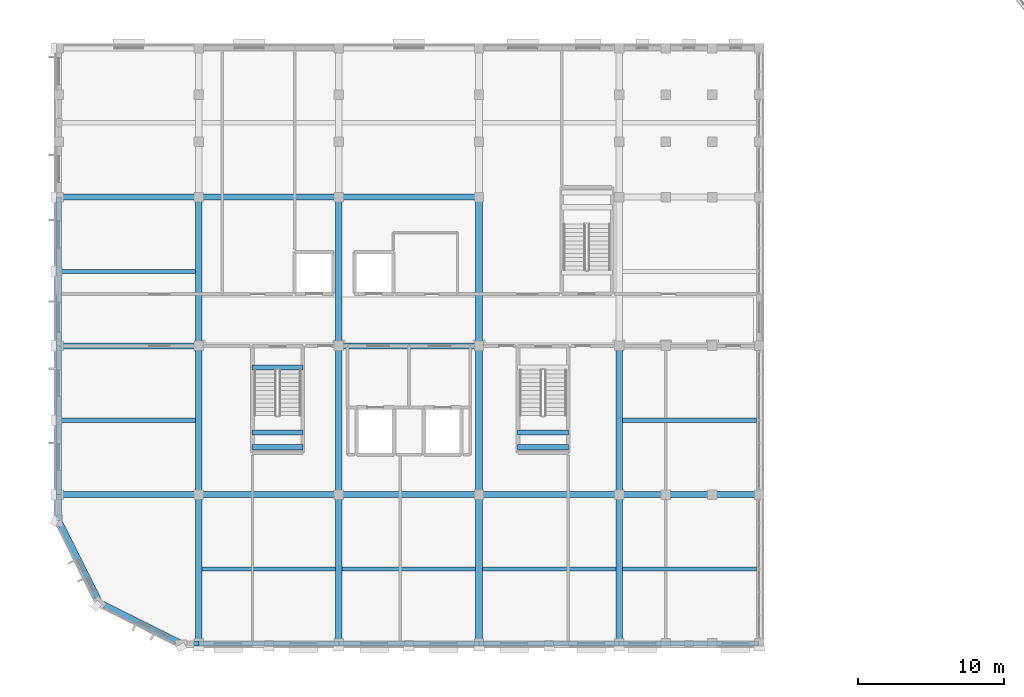
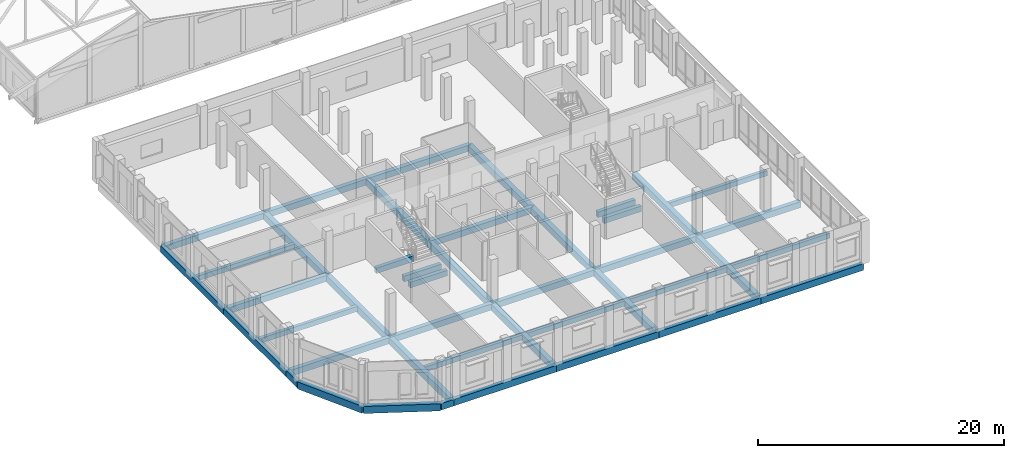
# One storey, part 14 of 200: 43 beams.
"""IFC4 building model written with IfcOpenShell, lengths in metres."""

from ifc_helpers import new_model, si_unit, direction, frame, origin, origin_2d, place, context, subcontext, project, spatial, rectangle, extrude, material, material_profile, profile_set, type_object, element, save


model = new_model("IFC4")

# Units and contexts
model_context = context("Model", 3, precision=1e-05, world=origin(), true_north=direction((0.0, 1.0)))
body_context = subcontext(model_context, "Body", "Model", "MODEL_VIEW")
ifc_project = project(units=[si_unit("LENGTHUNIT", "METRE"), si_unit("AREAUNIT", "SQUARE_METRE"), si_unit("VOLUMEUNIT", "CUBIC_METRE"), si_unit("PLANEANGLEUNIT", "RADIAN"), si_unit("MASSUNIT", "GRAM", prefix="KILO")], contexts=[model_context])

# Site, building, storey
site_placement = place(None, origin())
site = spatial("IfcSite", under=ifc_project, at=site_placement, CompositionType="ELEMENT")
building_placement = place(site_placement, origin())
building = spatial("IfcBuilding", under=site, at=building_placement, Name="Vondelvale Polytechnic", CompositionType="ELEMENT")
storey_placement = place(building_placement, frame((0.0, 0.0, 13.800048828125)))
storey = spatial("IfcBuildingStorey", under=building, at=storey_placement, Name="L03", CompositionType="ELEMENT", Elevation=13.800048828125)

# Beams
ifc_material_1 = material(Name="Concrete N40 (f'c = 40 MPa)", Category="concrete")
ifc_material_profile_1 = material_profile(ifc_material_1, rectangle(XDim=0.35009765625, YDim=0.550048828125, at=origin_2d()), Name="RC-BM-350x550")
ifc_profile_set_1 = profile_set([ifc_material_profile_1], Name="Concrete N40 (f'c = 40 MPa)")
beam_type_1 = type_object("IfcBeamType", Name="BM-RC350x550", PredefinedType="BEAM", material=ifc_profile_set_1)
for number, where, z_axis, x_axis, name in (
    (1, (13.25, 14.449951171875, 1.625), (1.0, 0.0, 0.0), (0.0, 1.0, 0.0), "L03 STLD B-06"),
    (2, (13.25, 13.449951171875, 1.625), (1.0, 0.0, 0.0), (0.0, 1.0, 0.0), "L03 STLD B-06"),
    (3, (13.25, 18.925048828125, -0.275146484375), (1.0, 0.0, 0.0), (0.0, 1.0, 0.0), "L03 STHD B-06"),
    (4, (31.449951171875, 14.449951171875, 1.625), (1.0, 0.0, 0.0), (0.0, 1.0, 0.0), "L03 STLD B-06"),
    (5, (31.449951171875, 13.449951171875, 1.625), (1.0, 0.0, 0.0), (0.0, 1.0, 0.0), "L03 STLD B-06"),
):
    element("IfcBeam", number, at=place(storey_placement, frame(where, z_axis=z_axis, x_axis=x_axis)), inside=storey, type_object=beam_type_1, Name=name, PredefinedType="BEAM", context=body_context, shape_type="SweptSolid", body=[
        extrude(rectangle(XDim=0.35009765625, YDim=0.550048828125, at=origin_2d()), origin(), (0.0, 0.0, 1.0), 3.5),
    ])
ifc_material_profile_2 = material_profile(ifc_material_1, rectangle(XDim=0.39990234375, YDim=0.60009765625, at=origin_2d()), Name="RC-BM-400x600")
ifc_profile_set_2 = profile_set([ifc_material_profile_2], Name="Concrete N40 (f'c = 40 MPa)")
beam_type_2 = type_object("IfcBeamType", Name="BM-RC400x600", PredefinedType="BEAM", material=ifc_profile_set_2)
beam_1_placement = place(storey_placement, frame((0.0, 10.199951171875, -0.550048828125), z_axis=(1.0, 0.0, 0.0), x_axis=(0.0, 1.0, 0.0)))
element("IfcBeam", 6, at=beam_1_placement, inside=storey, type_object=beam_type_2, Name="L03 B B-05", PredefinedType="BEAM", context=body_context, shape_type="SweptSolid", body=[
    extrude(rectangle(XDim=0.39990234375, YDim=0.60009765625, at=origin_2d()), origin(), (0.0, 0.0, 1.0), 9.60009765625),
])
beam_2_placement = place(storey_placement, frame((9.60009765625, 10.199951171875, -0.550048828125), z_axis=(1.0, 0.0, 0.0), x_axis=(0.0, 1.0, 0.0)))
element("IfcBeam", 7, at=beam_2_placement, inside=storey, type_object=beam_type_2, Name="L03 B B-05", PredefinedType="BEAM", context=body_context, shape_type="SweptSolid", body=[
    extrude(rectangle(XDim=0.39990234375, YDim=0.60009765625, at=origin_2d()), origin(), (0.0, 0.0, 1.0), 9.599853515625),
])
beam_3_placement = place(storey_placement, frame((19.199951171875, 10.199951171875, -0.550048828125), z_axis=(1.0, 0.0, 0.0), x_axis=(0.0, 1.0, 0.0)))
element("IfcBeam", 8, at=beam_3_placement, inside=storey, type_object=beam_type_2, Name="L03 B B-05", PredefinedType="BEAM", context=body_context, shape_type="SweptSolid", body=[
    extrude(rectangle(XDim=0.39990234375, YDim=0.60009765625, at=origin_2d()), origin(), (0.0, 0.0, 1.0), 9.60009765625),
])
beam_4_placement = place(storey_placement, frame((28.800048828125, 10.199951171875, -0.550048828125), z_axis=(1.0, 0.0, 0.0), x_axis=(0.0, 1.0, 0.0)))
element("IfcBeam", 9, at=beam_4_placement, inside=storey, type_object=beam_type_2, Name="L03 B B-05", PredefinedType="BEAM", context=body_context, shape_type="SweptSolid", body=[
    extrude(rectangle(XDim=0.39990234375, YDim=0.60009765625, at=origin_2d()), origin(), (0.0, 0.0, 1.0), 9.599853515625),
])
for number, where, z_axis, x_axis, name in (
    (10, (38.39990234375, 10.199951171875, -0.550048828125), (1.0, 0.0, 0.0), (0.0, 1.0, 0.0), "L03 B B-05"),
    (11, (0.0, 20.39990234375, -0.550048828125), (1.0, 0.0, 0.0), (0.0, 1.0, 0.0), "L03 B B-05"),
    (12, (19.199951171875, 20.39990234375, -0.550048828125), (1.0, 0.0, 0.0), (0.0, 1.0, 0.0), "L03 B B-05"),
    (13, (0.0, 30.60009765625, -0.550048828125), (1.0, 0.0, 0.0), (0.0, 1.0, 0.0), "L03 B B-05"),
):
    element("IfcBeam", number, at=place(storey_placement, frame(where, z_axis=z_axis, x_axis=x_axis)), inside=storey, type_object=beam_type_2, Name=name, PredefinedType="BEAM", context=body_context, shape_type="SweptSolid", body=[
        extrude(rectangle(XDim=0.39990234375, YDim=0.60009765625, at=origin_2d()), origin(), (0.0, 0.0, 1.0), 9.60009765625),
    ])
beam_5_placement = place(storey_placement, frame((9.60009765625, 30.60009765625, -0.550048828125), z_axis=(1.0, 0.0, 0.0), x_axis=(0.0, 1.0, 0.0)))
element("IfcBeam", 14, at=beam_5_placement, inside=storey, type_object=beam_type_2, Name="L03 B B-05", PredefinedType="BEAM", context=body_context, shape_type="SweptSolid", body=[
    extrude(rectangle(XDim=0.39990234375, YDim=0.60009765625, at=origin_2d()), origin(), (0.0, 0.0, 1.0), 9.599853515625),
])
beam_6_placement = place(storey_placement, frame((19.199951171875, 30.60009765625, -0.550048828125), z_axis=(1.0, 0.0, 0.0), x_axis=(0.0, 1.0, 0.0)))
element("IfcBeam", 15, at=beam_6_placement, inside=storey, type_object=beam_type_2, Name="L03 B B-05", PredefinedType="BEAM", context=body_context, shape_type="SweptSolid", body=[
    extrude(rectangle(XDim=0.39990234375, YDim=0.60009765625, at=origin_2d()), origin(), (0.0, 0.0, 1.0), 9.60009765625),
])
ifc_material_profile_3 = material_profile(ifc_material_1, rectangle(XDim=0.449951171875, YDim=0.64990234375, at=origin_2d()), Name="RC-BM-450x650")
ifc_profile_set_3 = profile_set([ifc_material_profile_3], Name="Concrete N40 (f'c = 40 MPa)")
beam_type_3 = type_object("IfcBeamType", Name="BM-RC450x650", PredefinedType="BEAM", material=ifc_profile_set_3)
for number, where, z_axis, x_axis, name in (
    (16, (9.60009765625, 0.0, -0.574951171875), (0.0, 1.0, 0.0), (-1.0, 0.0, 0.0), "L03 B B-04"),
    (17, (9.60009765625, 10.199951171875, -0.574951171875), (0.0, 1.0, 0.0), (-1.0, 0.0, 0.0), "L03 B B-04"),
):
    element("IfcBeam", number, at=place(storey_placement, frame(where, z_axis=z_axis, x_axis=x_axis)), inside=storey, type_object=beam_type_3, Name=name, PredefinedType="BEAM", context=body_context, shape_type="SweptSolid", body=[
        extrude(rectangle(XDim=0.449951171875, YDim=0.64990234375, at=origin_2d()), origin(), (0.0, 0.0, 1.0), 10.199951171875),
    ])
beam_7_placement = place(storey_placement, frame((9.60009765625, 20.39990234375, -0.574951171875), z_axis=(0.0, 1.0, 0.0), x_axis=(-1.0, 0.0, 0.0)))
element("IfcBeam", 18, at=beam_7_placement, inside=storey, type_object=beam_type_3, Name="L03 B B-04", PredefinedType="BEAM", context=body_context, shape_type="SweptSolid", body=[
    extrude(rectangle(XDim=0.449951171875, YDim=0.64990234375, at=origin_2d()), origin(), (0.0, 0.0, 1.0), 10.2001953125),
])
for number, where, z_axis, x_axis, name in (
    (19, (19.199951171875, 0.0, -0.574951171875), (0.0, 1.0, 0.0), (-1.0, 0.0, 0.0), "L03 B B-04"),
    (20, (19.199951171875, 10.199951171875, -0.574951171875), (0.0, 1.0, 0.0), (-1.0, 0.0, 0.0), "L03 B B-04"),
):
    element("IfcBeam", number, at=place(storey_placement, frame(where, z_axis=z_axis, x_axis=x_axis)), inside=storey, type_object=beam_type_3, Name=name, PredefinedType="BEAM", context=body_context, shape_type="SweptSolid", body=[
        extrude(rectangle(XDim=0.449951171875, YDim=0.64990234375, at=origin_2d()), origin(), (0.0, 0.0, 1.0), 10.199951171875),
    ])
beam_8_placement = place(storey_placement, frame((19.199951171875, 20.39990234375, -0.574951171875), z_axis=(0.0, 1.0, 0.0), x_axis=(-1.0, 0.0, 0.0)))
element("IfcBeam", 21, at=beam_8_placement, inside=storey, type_object=beam_type_3, Name="L03 B B-04", PredefinedType="BEAM", context=body_context, shape_type="SweptSolid", body=[
    extrude(rectangle(XDim=0.449951171875, YDim=0.64990234375, at=origin_2d()), origin(), (0.0, 0.0, 1.0), 10.2001953125),
])
for number, where, z_axis, x_axis, name in (
    (22, (28.800048828125, 0.0, -0.574951171875), (0.0, 1.0, 0.0), (-1.0, 0.0, 0.0), "L03 B B-04"),
    (23, (28.800048828125, 10.199951171875, -0.574951171875), (0.0, 1.0, 0.0), (-1.0, 0.0, 0.0), "L03 B B-04"),
):
    element("IfcBeam", number, at=place(storey_placement, frame(where, z_axis=z_axis, x_axis=x_axis)), inside=storey, type_object=beam_type_3, Name=name, PredefinedType="BEAM", context=body_context, shape_type="SweptSolid", body=[
        extrude(rectangle(XDim=0.449951171875, YDim=0.64990234375, at=origin_2d()), origin(), (0.0, 0.0, 1.0), 10.199951171875),
    ])
beam_9_placement = place(storey_placement, frame((28.800048828125, 20.39990234375, -0.574951171875), z_axis=(0.0, 1.0, 0.0), x_axis=(-1.0, 0.0, 0.0)))
element("IfcBeam", 24, at=beam_9_placement, inside=storey, type_object=beam_type_3, Name="L03 B B-04", PredefinedType="BEAM", context=body_context, shape_type="SweptSolid", body=[
    extrude(rectangle(XDim=0.449951171875, YDim=0.64990234375, at=origin_2d()), origin(), (0.0, 0.0, 1.0), 10.2001953125),
])
for number, where, z_axis, x_axis, name in (
    (25, (38.39990234375, 0.0, -0.574951171875), (0.0, 1.0, 0.0), (-1.0, 0.0, 0.0), "L03 B B-04"),
    (26, (38.39990234375, 10.199951171875, -0.574951171875), (0.0, 1.0, 0.0), (-1.0, 0.0, 0.0), "L03 B B-04"),
):
    element("IfcBeam", number, at=place(storey_placement, frame(where, z_axis=z_axis, x_axis=x_axis)), inside=storey, type_object=beam_type_3, Name=name, PredefinedType="BEAM", context=body_context, shape_type="SweptSolid", body=[
        extrude(rectangle(XDim=0.449951171875, YDim=0.64990234375, at=origin_2d()), origin(), (0.0, 0.0, 1.0), 10.199951171875),
    ])
ifc_material_profile_4 = material_profile(ifc_material_1, rectangle(XDim=0.300048828125, YDim=0.5, at=origin_2d()), Name="RC-JST-300x500")
ifc_profile_set_4 = profile_set([ifc_material_profile_4], Name="Concrete N40 (f'c = 40 MPa)")
beam_type_4 = type_object("IfcBeamType", Name="JST-RC300x500", PredefinedType="JOIST", material=ifc_profile_set_4)
beam_10_placement = place(storey_placement, frame((9.824951171875, 5.10009765625, -0.5), z_axis=(1.0, 0.0, 0.0), x_axis=(0.0, 1.0, 0.0)))
element("IfcBeam", 27, at=beam_10_placement, inside=storey, type_object=beam_type_4, Name="L03 J J-02", PredefinedType="JOIST", context=body_context, shape_type="SweptSolid", body=[
    extrude(rectangle(XDim=0.300048828125, YDim=0.5, at=origin_2d()), origin(), (0.0, 0.0, 1.0), 9.150146484375),
])
beam_11_placement = place(storey_placement, frame((19.425048828125, 5.10009765625, -0.5), z_axis=(1.0, 0.0, 0.0), x_axis=(0.0, 1.0, 0.0)))
element("IfcBeam", 28, at=beam_11_placement, inside=storey, type_object=beam_type_4, Name="L03 J J-02", PredefinedType="JOIST", context=body_context, shape_type="SweptSolid", body=[
    extrude(rectangle(XDim=0.300048828125, YDim=0.5, at=origin_2d()), origin(), (0.0, 0.0, 1.0), 9.14990234375),
])
beam_12_placement = place(storey_placement, frame((29.02490234375, 5.10009765625, -0.5), z_axis=(1.0, 0.0, 0.0), x_axis=(0.0, 1.0, 0.0)))
element("IfcBeam", 29, at=beam_12_placement, inside=storey, type_object=beam_type_4, Name="L03 J J-02", PredefinedType="JOIST", context=body_context, shape_type="SweptSolid", body=[
    extrude(rectangle(XDim=0.300048828125, YDim=0.5, at=origin_2d()), origin(), (0.0, 0.0, 1.0), 9.150146484375),
])
for number, where, z_axis, x_axis, name in (
    (30, (38.625, 5.10009765625, -0.5), (1.0, 0.0, 0.0), (0.0, 1.0, 0.0), "L03 J J-02"),
    (31, (0.175048828125, 15.300048828125, -0.5), (1.0, 0.0, 0.0), (0.0, 1.0, 0.0), "L03 J J-02"),
    (32, (38.625, 15.300048828125, -0.5), (1.0, 0.0, 0.0), (0.0, 1.0, 0.0), "L03 J J-02"),
    (33, (0.175048828125, 25.5, -0.5), (1.0, 0.0, 0.0), (0.0, 1.0, 0.0), "L03 J J-02"),
):
    element("IfcBeam", number, at=place(storey_placement, frame(where, z_axis=z_axis, x_axis=x_axis)), inside=storey, type_object=beam_type_4, Name=name, PredefinedType="JOIST", context=body_context, shape_type="SweptSolid", body=[
        extrude(rectangle(XDim=0.300048828125, YDim=0.5, at=origin_2d()), origin(), (0.0, 0.0, 1.0), 9.199951171875),
    ])
ifc_material_2 = material(Name="Precast concrete N40 (f'c = 40 MPa)", Category="concrete")
ifc_material_profile_5 = material_profile(ifc_material_2, rectangle(XDim=0.35009765625, YDim=0.64990234375, at=origin_2d()), Name="RC-SPN-350x650")
ifc_profile_set_5 = profile_set([ifc_material_profile_5], Name="Precast concrete N40 (f'c = 40 MPa)")
beam_type_5 = type_object("IfcBeamType", Name="SPN-PRE350x650", PredefinedType="SPANDREL", material=ifc_profile_set_5)
beam_13_placement = place(storey_placement, frame((8.39990234375, 0.0, -0.574951171875), z_axis=(1.0, 0.0, 0.0), x_axis=(0.0, 1.0, 0.0)))
element("IfcBeam", 34, at=beam_13_placement, inside=storey, type_object=beam_type_5, Name="L03 B SP-02", PredefinedType="SPANDREL", context=body_context, shape_type="SweptSolid", body=[
    extrude(rectangle(XDim=0.35009765625, YDim=0.64990234375, at=origin_2d()), origin(), (0.0, 0.0, 1.0), 1.2001953125),
])
beam_14_placement = place(storey_placement, frame((9.60009765625, 0.0, -0.574951171875), z_axis=(1.0, 0.0, 0.0), x_axis=(0.0, 1.0, 0.0)))
element("IfcBeam", 35, at=beam_14_placement, inside=storey, type_object=beam_type_5, Name="L03 B SP-02", PredefinedType="SPANDREL", context=body_context, shape_type="SweptSolid", body=[
    extrude(rectangle(XDim=0.35009765625, YDim=0.64990234375, at=origin_2d()), origin(), (0.0, 0.0, 1.0), 9.599853515625),
])
beam_15_placement = place(storey_placement, frame((19.199951171875, 0.0, -0.574951171875), z_axis=(1.0, 0.0, 0.0), x_axis=(0.0, 1.0, 0.0)))
element("IfcBeam", 36, at=beam_15_placement, inside=storey, type_object=beam_type_5, Name="L03 B SP-02", PredefinedType="SPANDREL", context=body_context, shape_type="SweptSolid", body=[
    extrude(rectangle(XDim=0.35009765625, YDim=0.64990234375, at=origin_2d()), origin(), (0.0, 0.0, 1.0), 9.60009765625),
])
beam_16_placement = place(storey_placement, frame((28.800048828125, 0.0, -0.574951171875), z_axis=(1.0, 0.0, 0.0), x_axis=(0.0, 1.0, 0.0)))
element("IfcBeam", 37, at=beam_16_placement, inside=storey, type_object=beam_type_5, Name="L03 B SP-02", PredefinedType="SPANDREL", context=body_context, shape_type="SweptSolid", body=[
    extrude(rectangle(XDim=0.35009765625, YDim=0.64990234375, at=origin_2d()), origin(), (0.0, 0.0, 1.0), 9.599853515625),
])
beam_17_placement = place(storey_placement, frame((38.39990234375, 0.0, -0.574951171875), z_axis=(1.0, 0.0, 0.0), x_axis=(0.0, 1.0, 0.0)))
element("IfcBeam", 38, at=beam_17_placement, inside=storey, type_object=beam_type_5, Name="L03 B SP-02", PredefinedType="SPANDREL", context=body_context, shape_type="SweptSolid", body=[
    extrude(rectangle(XDim=0.35009765625, YDim=0.64990234375, at=origin_2d()), origin(), (0.0, 0.0, 1.0), 9.60009765625),
])
beam_18_placement = place(storey_placement, frame((0.0, 8.39990234375, -0.574951171875), z_axis=(0.0, 1.0, 0.0), x_axis=(-1.0, 0.0, 0.0)))
element("IfcBeam", 39, at=beam_18_placement, inside=storey, type_object=beam_type_5, Name="L03 B SP-02", PredefinedType="SPANDREL", context=body_context, shape_type="SweptSolid", body=[
    extrude(rectangle(XDim=0.35009765625, YDim=0.64990234375, at=origin_2d()), origin(), (0.0, 0.0, 1.0), 1.800048828125),
])
beam_19_placement = place(storey_placement, frame((0.0, 10.199951171875, -0.574951171875), z_axis=(0.0, 1.0, 0.0), x_axis=(-1.0, 0.0, 0.0)))
element("IfcBeam", 40, at=beam_19_placement, inside=storey, type_object=beam_type_5, Name="L03 B SP-02", PredefinedType="SPANDREL", context=body_context, shape_type="SweptSolid", body=[
    extrude(rectangle(XDim=0.35009765625, YDim=0.64990234375, at=origin_2d()), origin(), (0.0, 0.0, 1.0), 10.199951171875),
])
beam_20_placement = place(storey_placement, frame((0.0, 20.39990234375, -0.574951171875), z_axis=(0.0, 1.0, 0.0), x_axis=(-1.0, 0.0, 0.0)))
element("IfcBeam", 41, at=beam_20_placement, inside=storey, type_object=beam_type_5, Name="L03 B SP-02", PredefinedType="SPANDREL", context=body_context, shape_type="SweptSolid", body=[
    extrude(rectangle(XDim=0.35009765625, YDim=0.64990234375, at=origin_2d()), origin(), (0.0, 0.0, 1.0), 10.2001953125),
])
ifc_material_profile_6 = material_profile(ifc_material_2, rectangle(XDim=0.39990234375, YDim=0.699951171875, at=origin_2d()), Name="RC-SPN-400x700")
ifc_profile_set_6 = profile_set([ifc_material_profile_6], Name="Precast concrete N40 (f'c = 40 MPa)")
beam_type_6 = type_object("IfcBeamType", Name="SPN-PRE400x700", PredefinedType="SPANDREL", material=ifc_profile_set_6)
for number, where, z_axis, x_axis, name in (
    (42, (8.39990234375, 0.0, -0.60009765625), (-0.894419391942, 0.447229193276, 0.0), (-0.447229193276, -0.894419391942, 0.0), "L03 SP SP-01"),
    (43, (2.800048828125, 2.800048828125, -0.60009765625), (-0.447229193276, 0.894419391942, 0.0), (-0.894419391942, -0.447229193276, 0.0), "L03 SP SP-01"),
):
    element("IfcBeam", number, at=place(storey_placement, frame(where, z_axis=z_axis, x_axis=x_axis)), inside=storey, type_object=beam_type_6, Name=name, PredefinedType="SPANDREL", context=body_context, shape_type="SweptSolid", body=[
        extrude(rectangle(XDim=0.39990234375, YDim=0.699951171875, at=origin_2d()), origin(), (0.0, 0.0, 1.0), 6.260986328125),
    ])

save(model, "model.ifc")
